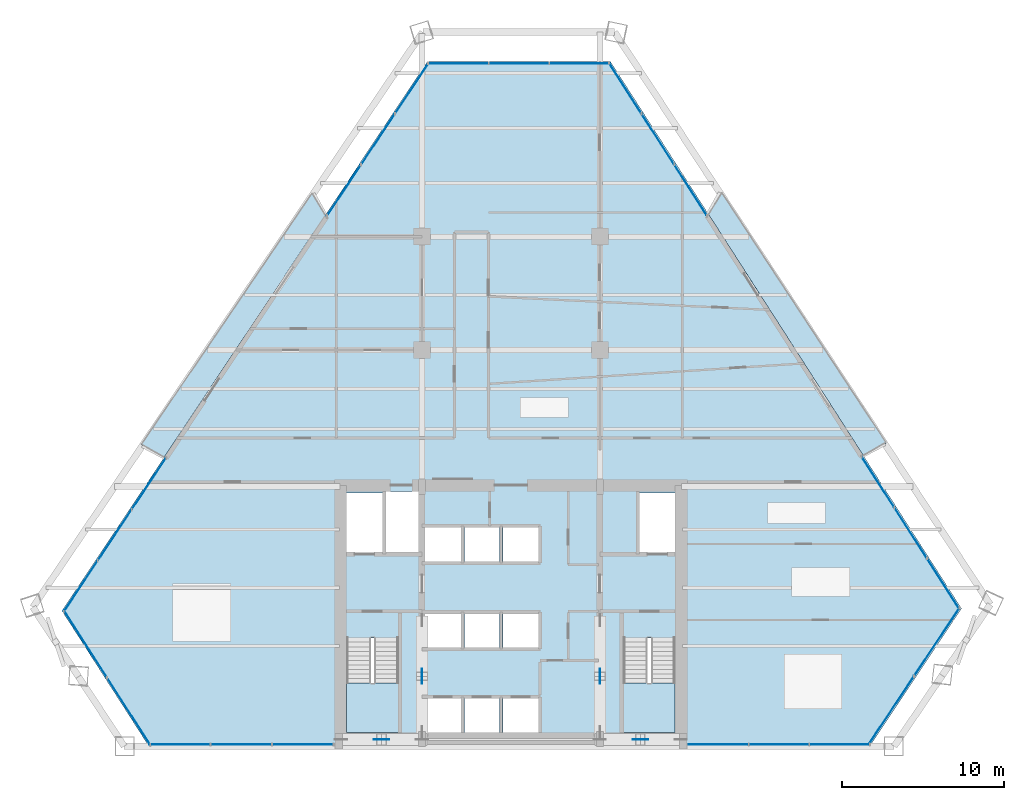
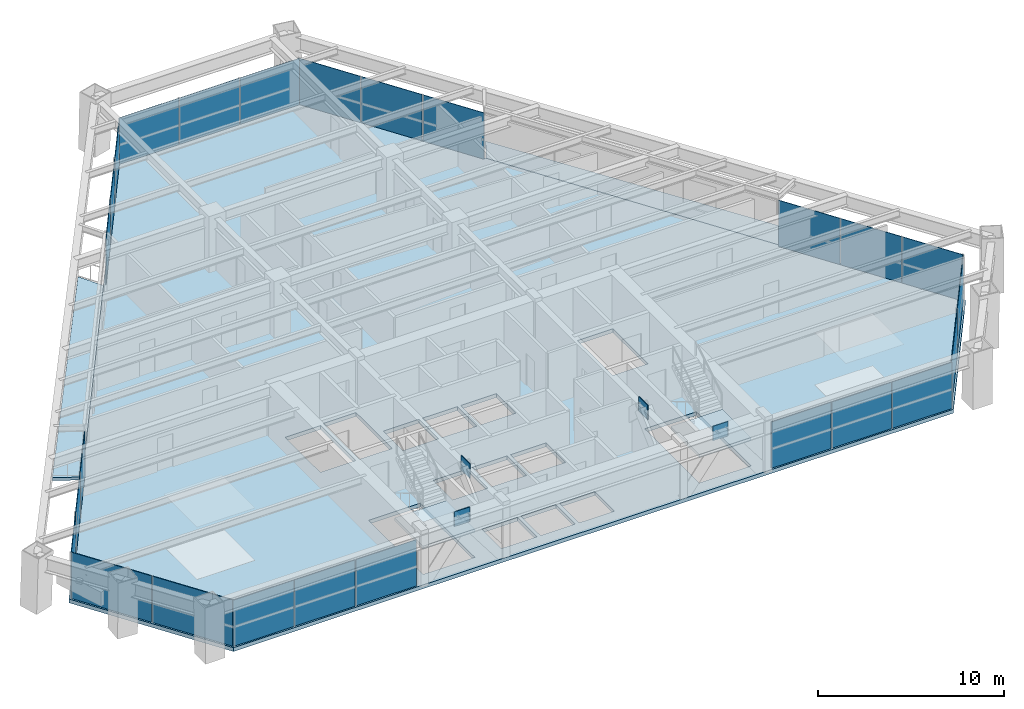
# One storey, part 9 of 14: 29 plates, 5 slabs, 11 elements without a shape of their own.
"""IFC4 building model written with IfcOpenShell, lengths in metres."""

from ifc_helpers import new_model, si_unit, direction, frame, origin, origin_2d, place, context, subcontext, project, spatial, polyline, rectangle, outline, extrude, source, transform, mapped, material, layer, layer_set, type_object, element, aggregate, save


model = new_model("IFC4")

# Units and contexts
model_context = context("Model", 3, precision=1e-05, world=origin(), true_north=direction((0.0, 1.0)))
body_context = subcontext(model_context, "Body", "Model", "MODEL_VIEW")
ifc_project = project(units=[si_unit("LENGTHUNIT", "METRE"), si_unit("AREAUNIT", "SQUARE_METRE"), si_unit("VOLUMEUNIT", "CUBIC_METRE"), si_unit("PLANEANGLEUNIT", "RADIAN"), si_unit("MASSUNIT", "GRAM", prefix="KILO")], contexts=[model_context])

# Site, building, storey
site_placement = place(None, origin())
site = spatial("IfcSite", under=ifc_project, at=site_placement, CompositionType="ELEMENT")
building_placement = place(site_placement, origin())
building = spatial("IfcBuilding", under=site, at=building_placement, Name="Varnakhor Terracotta Tower", CompositionType="ELEMENT")
storey_placement = place(building_placement, frame((0.0, 0.0, 113.60009765625)))
storey = spatial("IfcBuildingStorey", under=building, at=storey_placement, Name="L28", CompositionType="ELEMENT", Elevation=113.60009765625)

# Stair, slab
ifc_material_1 = material(Name="Concrete C40/50", Category="concrete")
stair_type = type_object("IfcStairType", Name="STR-CORE-OFFICE-1500", PredefinedType="HALF_TURN_STAIR", material=ifc_material_1)
stair_1_placement = place(storey_placement, origin())
stair_1 = element("IfcStair", 1, at=stair_1_placement, inside=storey, type_object=stair_type, Name="L28 Core Exit Stair ST-1", PredefinedType="HALF_TURN_STAIR")
ifc_layer_1 = layer(ifc_material_1, 0.179931640625, Name="Concrete C40/50")
ifc_layer_set_1 = layer_set([ifc_layer_1], Name="Concrete C40/50")
slab_type_1 = type_object("IfcSlabType", Name="SLB-LANDING-180", PredefinedType="LANDING", material=ifc_layer_set_1)
slab_1_placement = place(storey_placement, frame((0.0, 0.0, 1.64990234375)))
slab_1 = element("IfcSlab", 2, at=slab_1_placement, type_object=slab_type_1, Name="ST-1 landing 1", PredefinedType="LANDING", context=body_context, shape_type="SweptSolid", body=[
    extrude(outline(polyline([(-10.14990234375, 3.909912109375), (-10.14990234375, 0.85009765625), (-6.949951171875, 0.85009765625), (-6.949951171875, 3.909912109375), (-10.14990234375, 3.909912109375)])), origin(), (0.0, 0.0, 1.0), 0.199951171875),
])
aggregate(stair_1, [slab_1])

stair_2_placement = place(storey_placement, origin())
stair_2 = element("IfcStair", 3, at=stair_2_placement, inside=storey, type_object=stair_type, Name="L28 Core Exit Stair ST-2", PredefinedType="HALF_TURN_STAIR")
slab_2_placement = place(storey_placement, frame((0.0, 0.0, 1.64990234375)))
slab_2 = element("IfcSlab", 4, at=slab_2_placement, type_object=slab_type_1, Name="ST-2 landing 1", PredefinedType="LANDING", context=body_context, shape_type="SweptSolid", body=[
    extrude(outline(polyline([(6.949951171875, 3.909912109375), (6.949951171875, 0.85009765625), (10.14990234375, 0.85009765625), (10.14990234375, 3.909912109375), (6.949951171875, 3.909912109375)])), origin(), (0.0, 0.0, 1.0), 0.199951171875),
])
aggregate(stair_2, [slab_2])

# Slabs
ifc_layer_2 = layer(ifc_material_1, 0.195068359375, Name="Concrete C40/50")
ifc_layer_set_2 = layer_set([ifc_layer_2], Name="Concrete C40/50")
slab_type_2 = type_object("IfcSlabType", Name="SLB-LOGGIA-EXT-195", PredefinedType="FLOOR", material=ifc_layer_set_2)
slab_3_placement = place(storey_placement, frame((0.0, 0.0, -0.195068359375)))
element("IfcSlab", 5, at=slab_3_placement, inside=storey, type_object=slab_type_2, Name="L28 E Recessed Outdoor Loggia Slab", PredefinedType="FLOOR", context=body_context, shape_type="SweptSolid", body=[
    extrude(outline(polyline([(13.005859375, 34.250732421875), (23.197265625, 18.743896484375), (21.773193359375, 17.985595703125), (12.81884765625, 31.937744140625), (12.22412109375, 32.86474609375), (13.005859375, 34.250732421875)])), origin(), (0.0, 0.0, 1.0), 0.195068359375),
])
slab_4_placement = place(storey_placement, frame((0.0, 0.0, -0.195068359375)))
element("IfcSlab", 6, at=slab_4_placement, inside=storey, type_object=slab_type_2, Name="L28 W Recessed Outdoor Loggia Slab", PredefinedType="FLOOR", context=body_context, shape_type="SweptSolid", body=[
    extrude(outline(polyline([(-22.853515625, 18.630615234375), (-12.26708984375, 34.20654296875), (-11.483642578125, 32.822509765625), (-16.454345703125, 25.349609375), (-21.425048828125, 17.876708984375), (-22.853515625, 18.630615234375)])), origin(), (0.0, 0.0, 1.0), 0.195068359375),
])
ifc_layer_3 = layer(ifc_material_1, 0.25, Name="Concrete C40/50")
ifc_layer_set_3 = layer_set([ifc_layer_3], Name="Concrete C40/50")
slab_type_3 = type_object("IfcSlabType", Name="SLB-OFF-250", PredefinedType="FLOOR", material=ifc_layer_set_3)
slab_5_placement = place(storey_placement, frame((0.0, 0.0, -0.25)))
element("IfcSlab", 7, at=slab_5_placement, inside=storey, type_object=slab_type_3, Name="L28 Structural Floor Slab", PredefinedType="FLOOR", context=body_context, shape_type="SweptSolid", body=[
    extrude(outline(polyline([(-27.75146484375, 8.365966796875), (-5.1572265625, 42.333251953125), (6.147216796875, 42.333251953125), (27.85009765625, 8.51708984375), (22.184814453125, 0.0), (-22.382080078125, 0.0), (-27.75146484375, 8.365966796875)]), holes=[polyline([(-3.10009765625, 0.85009765625), (-3.10009765625, 2.949951171875), (-5.300048828125, 2.949951171875), (-5.300048828125, 0.85009765625), (-3.10009765625, 0.85009765625)]), polyline([(-2.8798828125, 0.85009765625), (-0.719970703125, 0.85009765625), (-0.719970703125, 2.949951171875), (-2.8798828125, 2.949951171875), (-2.8798828125, 0.85009765625)]), polyline([(-10.14990234375, 0.85009765625), (-6.949951171875, 0.85009765625), (-6.949951171875, 6.695068359375), (-10.14990234375, 6.695068359375), (-10.14990234375, 0.85009765625)]), polyline([(-5.300048828125, 6.10009765625), (-3.10009765625, 6.10009765625), (-3.10009765625, 8.199951171875), (-5.300048828125, 8.199951171875), (-5.300048828125, 6.10009765625)]), polyline([(-5.300048828125, 11.419921875), (-3.10009765625, 11.419921875), (-3.10009765625, 13.52001953125), (-5.300048828125, 13.52001953125), (-5.300048828125, 11.419921875)]), polyline([(-10.14990234375, 11.8798828125), (-7.949951171875, 11.8798828125), (-7.949951171875, 15.64990234375), (-10.14990234375, 15.64990234375), (-10.14990234375, 11.8798828125)]), polyline([(-7.72998046875, 11.8798828125), (-5.699951171875, 11.8798828125), (-5.699951171875, 15.75), (-7.72998046875, 15.75), (-7.72998046875, 11.8798828125)]), polyline([(1.699951171875, 0.85009765625), (1.699951171875, 2.949951171875), (-0.5, 2.949951171875), (-0.5, 0.85009765625), (1.699951171875, 0.85009765625)]), polyline([(6.949951171875, 0.85009765625), (10.14990234375, 0.85009765625), (10.14990234375, 6.695068359375), (6.949951171875, 6.695068359375), (6.949951171875, 0.85009765625)]), polyline([(-2.8798828125, 6.10009765625), (-0.719970703125, 6.10009765625), (-0.719970703125, 8.199951171875), (-2.8798828125, 8.199951171875), (-2.8798828125, 6.10009765625)]), polyline([(-0.5, 6.10009765625), (1.699951171875, 6.10009765625), (1.699951171875, 8.199951171875), (-0.5, 8.199951171875), (-0.5, 6.10009765625)]), polyline([(-2.8798828125, 11.419921875), (-0.719970703125, 11.419921875), (-0.719970703125, 13.52001953125), (-2.8798828125, 13.52001953125), (-2.8798828125, 11.419921875)]), polyline([(-0.5, 11.419921875), (1.699951171875, 11.419921875), (1.699951171875, 13.52001953125), (-0.5, 13.52001953125), (-0.5, 11.419921875)]), polyline([(7.949951171875, 11.8798828125), (10.14990234375, 11.8798828125), (10.14990234375, 15.64990234375), (7.949951171875, 15.64990234375), (7.949951171875, 11.8798828125)])]), origin(), (0.0, 0.0, 1.0), 0.25),
])

# Plates
ifc_material_2 = material(Name="Steel S460", Category="steel")
ifc_layer_4 = layer(ifc_material_2, 0.050048828125, Name="Steel S460")
ifc_layer_set_4 = layer_set([ifc_layer_4], Name="Steel S460")
plate_type_1 = type_object("IfcPlateType", Name="PLT-GUSSET-50", PredefinedType="USERDEFINED", material=ifc_layer_set_4)
shared_shape_1 = source(origin(), body_context, "Body", "SweptSolid", [
    extrude(rectangle(XDim=0.949951171875, YDim=0.044921875, at=origin_2d()), origin(), (0.0, 0.0, 1.0), 0.949951171875),
])
for number, where, z_axis, x_axis, name in (
    (8, (-8.0, 0.419921875, 2.82470703125), (0.0, 0.0, 1.0), (1.0, 0.0, 0.0), "L28 Core Brace Apex Gusset CSW"),
    (9, (8.0, 0.419921875, 2.82470703125), (0.0, 0.0, 1.0), (1.0, 0.0, 0.0), "L28 Core Brace Apex Gusset CSE"),
    (10, (-5.5, 4.324951171875, 2.82470703125), (0.0, 0.0, 1.0), (0.0, 1.0, 0.0), "L28 Core Brace Apex Gusset CWW"),
    (11, (5.5, 4.324951171875, 2.82470703125), (0.0, 0.0, 1.0), (0.0, 1.0, 0.0), "L28 Core Brace Apex Gusset CWE"),
):
    element("IfcPlate", number, at=place(storey_placement, frame(where, z_axis=z_axis, x_axis=x_axis)), inside=storey, type_object=plate_type_1, Name=name, ObjectType="GUSSET PLATE", PredefinedType="USERDEFINED", context=body_context, shape_type="MappedRepresentation", body=[
        mapped(shared_shape_1, transform((0.0, 0.0, 0.0), scale=1.0)),
    ])

# Curtain wall, plates
ifc_material_3 = material(Name="Anodised Aluminium Curtain Wall System", Category="aluminium")
curtain_wall_type = type_object("IfcCurtainWallType", Name="CW-SYS-LOW-OFFICE", PredefinedType="NOTDEFINED", material=ifc_material_3)
curtain_wall_1_placement = place(storey_placement, origin())
curtain_wall_1 = element("IfcCurtainWall", 12, at=curtain_wall_1_placement, inside=storey, type_object=curtain_wall_type, Name="L28 E Facet Curtain Wall 1", PredefinedType="NOTDEFINED")
ifc_material_4 = material(Name="Solar-Control Low-E Insulated Glass Panel", Category="glass")
ifc_layer_5 = layer(ifc_material_4, 0.0380859375, Name="Solar-Control Low-E Insulated Glass Panel")
ifc_layer_set_5 = layer_set([ifc_layer_5], Name="Solar-Control Low-E Insulated Glass Panel")
plate_type_2 = type_object("IfcPlateType", Name="CWP-02", PredefinedType="CURTAIN_PANEL", material=ifc_layer_set_5)
shared_shape_2 = source(origin(), body_context, "Body", "SweptSolid", [
    extrude(rectangle(XDim=3.690185546875, YDim=0.035888671875, at=origin_2d()), origin(), (0.0, 0.0, 1.0), 3.030029296875),
])
plate_1_placement = place(storey_placement, frame((7.06982421875, 40.673583984375, 0.0), z_axis=(0.0, 0.0, 1.0), x_axis=(0.540122818141, -0.841586205521, 0.0)))
plate_1 = element("IfcPlate", 13, at=plate_1_placement, type_object=plate_type_2, Name="L28 E Facet Curtain Wall 1 Glazed Panel 1", PredefinedType="CURTAIN_PANEL", context=body_context, shape_type="MappedRepresentation", body=[
    mapped(shared_shape_2, transform((0.0, 0.0, 0.0), scale=1.0)),
])
plate_2_placement = place(storey_placement, frame((9.084716796875, 37.5341796875, 0.0), z_axis=(0.0, 0.0, 1.0), x_axis=(0.540122818141, -0.841586205521, 0.0)))
plate_2 = element("IfcPlate", 14, at=plate_2_placement, type_object=plate_type_2, Name="L28 E Facet Curtain Wall 1 Glazed Panel 2", PredefinedType="CURTAIN_PANEL", context=body_context, shape_type="MappedRepresentation", body=[
    mapped(shared_shape_2, transform((0.0, 0.0, 0.0), scale=1.0)),
])
plate_3_placement = place(storey_placement, frame((11.099365234375, 34.39501953125, 0.0), z_axis=(0.0, 0.0, 1.0), x_axis=(0.540122818141, -0.841586205521, 0.0)))
plate_3 = element("IfcPlate", 15, at=plate_3_placement, type_object=plate_type_2, Name="L28 E Facet Curtain Wall 1 Glazed Panel 3", PredefinedType="CURTAIN_PANEL", context=body_context, shape_type="MappedRepresentation", body=[
    mapped(shared_shape_2, transform((0.0, 0.0, 0.0), scale=1.0)),
])
aggregate(curtain_wall_1, [plate_1, plate_2, plate_3])

curtain_wall_2_placement = place(storey_placement, origin())
curtain_wall_2 = element("IfcCurtainWall", 16, at=curtain_wall_2_placement, inside=storey, type_object=curtain_wall_type, Name="L28 E Facet Curtain Wall 2", PredefinedType="NOTDEFINED")
plate_4_placement = place(storey_placement, frame((22.69580078125, 16.32568359375, 0.0), z_axis=(0.0, 0.0, 1.0), x_axis=(0.540122818141, -0.841586205521, 0.0)))
plate_4 = element("IfcPlate", 17, at=plate_4_placement, type_object=plate_type_2, Name="L28 E Facet Curtain Wall 2 Glazed Panel 1", PredefinedType="CURTAIN_PANEL", context=body_context, shape_type="MappedRepresentation", body=[
    mapped(shared_shape_2, transform((0.0, 0.0, 0.0), scale=1.0)),
])
plate_5_placement = place(storey_placement, frame((24.710693359375, 13.1865234375, 0.0), z_axis=(0.0, 0.0, 1.0), x_axis=(0.540122818141, -0.841586205521, 0.0)))
plate_5 = element("IfcPlate", 18, at=plate_5_placement, type_object=plate_type_2, Name="L28 E Facet Curtain Wall 2 Glazed Panel 2", PredefinedType="CURTAIN_PANEL", context=body_context, shape_type="MappedRepresentation", body=[
    mapped(shared_shape_2, transform((0.0, 0.0, 0.0), scale=1.0)),
])
plate_6_placement = place(storey_placement, frame((26.7255859375, 10.047119140625, 0.0), z_axis=(0.0, 0.0, 1.0), x_axis=(0.540122818141, -0.841586205521, 0.0)))
plate_6 = element("IfcPlate", 19, at=plate_6_placement, type_object=plate_type_2, Name="L28 E Facet Curtain Wall 2 Glazed Panel 3", PredefinedType="CURTAIN_PANEL", context=body_context, shape_type="MappedRepresentation", body=[
    mapped(shared_shape_2, transform((0.0, 0.0, 0.0), scale=1.0)),
])
aggregate(curtain_wall_2, [plate_4, plate_5, plate_6])

curtain_wall_3_placement = place(storey_placement, origin())
curtain_wall_3 = element("IfcCurtainWall", 20, at=curtain_wall_3_placement, inside=storey, type_object=curtain_wall_type, Name="L28 South Wing Curtain Wall SSE", PredefinedType="NOTDEFINED")
shared_shape_3 = source(origin(), body_context, "Body", "SweptSolid", [
    extrude(rectangle(XDim=3.695068359375, YDim=0.035888671875, at=origin_2d()), origin(), (0.0, 0.0, 1.0), 3.030029296875),
])
plate_7_placement = place(storey_placement, frame((20.307373046875, 0.1201171875, 0.0), z_axis=(0.0, 0.0, 1.0), x_axis=(-1.0, 0.0, 0.0)))
plate_7 = element("IfcPlate", 21, at=plate_7_placement, type_object=plate_type_2, Name="L28 South Wing Curtain Wall SSE Glazed Panel 1", PredefinedType="CURTAIN_PANEL", context=body_context, shape_type="MappedRepresentation", body=[
    mapped(shared_shape_3, transform((0.0, 0.0, 0.0), scale=1.0)),
])
plate_8_placement = place(storey_placement, frame((12.83740234375, 0.1201171875, 0.0), z_axis=(0.0, 0.0, 1.0), x_axis=(-1.0, 0.0, 0.0)))
plate_8 = element("IfcPlate", 22, at=plate_8_placement, type_object=plate_type_2, Name="L28 South Wing Curtain Wall SSE Glazed Panel 3", PredefinedType="CURTAIN_PANEL", context=body_context, shape_type="MappedRepresentation", body=[
    mapped(shared_shape_3, transform((0.0, 0.0, 0.0), scale=1.0)),
])

curtain_wall_4_placement = place(storey_placement, origin())
curtain_wall_4 = element("IfcCurtainWall", 23, at=curtain_wall_4_placement, inside=storey, type_object=curtain_wall_type, Name="L28 W Facet Curtain Wall 1", PredefinedType="NOTDEFINED")
shared_shape_4 = source(origin(), body_context, "Body", "SweptSolid", [
    extrude(rectangle(XDim=3.74755859375, YDim=0.035888671875, at=origin_2d()), origin(), (0.0, 0.0, 1.0), 3.030029296875),
])
plate_9_placement = place(storey_placement, frame((-26.586181640625, 9.9013671875, 0.0), z_axis=(0.0, 0.0, 1.0), x_axis=(0.553842121982, 0.832621705169, 0.0)))
plate_9 = element("IfcPlate", 24, at=plate_9_placement, type_object=plate_type_2, Name="L28 W Facet Curtain Wall 1 Glazed Panel 1", PredefinedType="CURTAIN_PANEL", context=body_context, shape_type="MappedRepresentation", body=[
    mapped(shared_shape_4, transform((0.0, 0.0, 0.0), scale=1.0)),
])
plate_10_placement = place(storey_placement, frame((-22.390380859375, 16.20849609375, 0.0), z_axis=(0.0, 0.0, 1.0), x_axis=(0.553842121982, 0.832621705169, 0.0)))
plate_10 = element("IfcPlate", 25, at=plate_10_placement, type_object=plate_type_2, Name="L28 W Facet Curtain Wall 1 Glazed Panel 3", PredefinedType="CURTAIN_PANEL", context=body_context, shape_type="MappedRepresentation", body=[
    mapped(shared_shape_4, transform((0.0, 0.0, 0.0), scale=1.0)),
])

curtain_wall_5_placement = place(storey_placement, origin())
curtain_wall_5 = element("IfcCurtainWall", 26, at=curtain_wall_5_placement, inside=storey, type_object=curtain_wall_type, Name="L28 W Facet Curtain Wall 2", PredefinedType="NOTDEFINED")
plate_11_placement = place(storey_placement, frame((-10.318115234375, 34.35791015625, 0.0), z_axis=(0.0, 0.0, 1.0), x_axis=(0.553842121982, 0.832621705169, 0.0)))
plate_11 = element("IfcPlate", 27, at=plate_11_placement, type_object=plate_type_2, Name="L28 W Facet Curtain Wall 2 Glazed Panel 1", PredefinedType="CURTAIN_PANEL", context=body_context, shape_type="MappedRepresentation", body=[
    mapped(shared_shape_4, transform((0.0, 0.0, 0.0), scale=1.0)),
])
plate_12_placement = place(storey_placement, frame((-8.220458984375, 37.511474609375, 0.0), z_axis=(0.0, 0.0, 1.0), x_axis=(0.553842121982, 0.832621705169, 0.0)))
plate_12 = element("IfcPlate", 28, at=plate_12_placement, type_object=plate_type_2, Name="L28 W Facet Curtain Wall 2 Glazed Panel 2", PredefinedType="CURTAIN_PANEL", context=body_context, shape_type="MappedRepresentation", body=[
    mapped(shared_shape_4, transform((0.0, 0.0, 0.0), scale=1.0)),
])
plate_13_placement = place(storey_placement, frame((-6.122802734375, 40.6650390625, 0.0), z_axis=(0.0, 0.0, 1.0), x_axis=(0.553842121982, 0.832621705169, 0.0)))
plate_13 = element("IfcPlate", 29, at=plate_13_placement, type_object=plate_type_2, Name="L28 W Facet Curtain Wall 2 Glazed Panel 3", PredefinedType="CURTAIN_PANEL", context=body_context, shape_type="MappedRepresentation", body=[
    mapped(shared_shape_4, transform((0.0, 0.0, 0.0), scale=1.0)),
])
aggregate(curtain_wall_5, [plate_11, plate_12, plate_13])

# Plate
shared_shape_5 = source(origin(), body_context, "Body", "SweptSolid", [
    extrude(rectangle(XDim=3.747802734375, YDim=0.035888671875, at=origin_2d()), origin(), (0.0, 0.0, 1.0), 3.030029296875),
])
plate_14_placement = place(storey_placement, frame((-24.48828125, 13.054931640625, 0.0), z_axis=(0.0, 0.0, 1.0), x_axis=(0.553842121982, 0.832621705169, 0.0)))
plate_14 = element("IfcPlate", 30, at=plate_14_placement, type_object=plate_type_2, Name="L28 W Facet Curtain Wall 1 Glazed Panel 2", PredefinedType="CURTAIN_PANEL", context=body_context, shape_type="MappedRepresentation", body=[
    mapped(shared_shape_5, transform((0.0, 0.0, 0.0), scale=1.0)),
])

aggregate(curtain_wall_4, [plate_9, plate_14, plate_10])

# Curtain wall, plates
curtain_wall_6_placement = place(storey_placement, origin())
curtain_wall_6 = element("IfcCurtainWall", 31, at=curtain_wall_6_placement, inside=storey, type_object=curtain_wall_type, Name="L28 Facet Curtain Wall 2", PredefinedType="NOTDEFINED")
shared_shape_6 = source(origin(), body_context, "Body", "SweptSolid", [
    extrude(rectangle(XDim=3.7080078125, YDim=0.035888671875, at=origin_2d()), origin(), (0.0, 0.0, 1.0), 3.030029296875),
])
plate_15_placement = place(storey_placement, frame((-3.253173828125, 42.21337890625, 0.0), z_axis=(0.0, 0.0, 1.0), x_axis=(1.0, 0.0, 0.0)))
plate_15 = element("IfcPlate", 32, at=plate_15_placement, type_object=plate_type_2, Name="L28 Facet Curtain Wall 2 Glazed Panel 1", PredefinedType="CURTAIN_PANEL", context=body_context, shape_type="MappedRepresentation", body=[
    mapped(shared_shape_6, transform((0.0, 0.0, 0.0), scale=1.0)),
])
plate_16_placement = place(storey_placement, frame((4.2431640625, 42.21337890625, 0.0), z_axis=(0.0, 0.0, 1.0), x_axis=(1.0, 0.0, 0.0)))
plate_16 = element("IfcPlate", 33, at=plate_16_placement, type_object=plate_type_2, Name="L28 Facet Curtain Wall 2 Glazed Panel 3", PredefinedType="CURTAIN_PANEL", context=body_context, shape_type="MappedRepresentation", body=[
    mapped(shared_shape_6, transform((0.0, 0.0, 0.0), scale=1.0)),
])
shared_shape_7 = source(origin(), body_context, "Body", "SweptSolid", [
    extrude(rectangle(XDim=3.708251953125, YDim=0.035888671875, at=origin_2d()), origin(), (0.0, 0.0, 1.0), 3.030029296875),
])
plate_17_placement = place(storey_placement, frame((0.4951171875, 42.21337890625, 0.0), z_axis=(0.0, 0.0, 1.0), x_axis=(1.0, 0.0, 0.0)))
plate_17 = element("IfcPlate", 34, at=plate_17_placement, type_object=plate_type_2, Name="L28 Facet Curtain Wall 2 Glazed Panel 2", PredefinedType="CURTAIN_PANEL", context=body_context, shape_type="MappedRepresentation", body=[
    mapped(shared_shape_7, transform((0.0, 0.0, 0.0), scale=1.0)),
])
aggregate(curtain_wall_6, [plate_15, plate_17, plate_16])

curtain_wall_7_placement = place(storey_placement, origin())
curtain_wall_7 = element("IfcCurtainWall", 35, at=curtain_wall_7_placement, inside=storey, type_object=curtain_wall_type, Name="L28 Facet Curtain Wall 4", PredefinedType="NOTDEFINED")
shared_shape_8 = source(origin(), body_context, "Body", "SweptSolid", [
    extrude(rectangle(XDim=5.04443359375, YDim=0.035888671875, at=origin_2d()), origin(), (0.0, 0.0, 1.0), 3.030029296875),
])
plate_18_placement = place(storey_placement, frame((26.32568359375, 6.44189453125, 0.0), z_axis=(0.0, 0.0, 1.0), x_axis=(-0.553827589908, -0.832631371411, 0.0)))
plate_18 = element("IfcPlate", 36, at=plate_18_placement, type_object=plate_type_2, Name="L28 Facet Curtain Wall 4 Glazed Panel 1", PredefinedType="CURTAIN_PANEL", context=body_context, shape_type="MappedRepresentation", body=[
    mapped(shared_shape_8, transform((0.0, 0.0, 0.0), scale=1.0)),
])
shared_shape_9 = source(origin(), body_context, "Body", "SweptSolid", [
    extrude(rectangle(XDim=5.044677734375, YDim=0.035888671875, at=origin_2d()), origin(), (0.0, 0.0, 1.0), 3.030029296875),
])
plate_19_placement = place(storey_placement, frame((23.509521484375, 2.208251953125, 0.0), z_axis=(0.0, 0.0, 1.0), x_axis=(-0.553827589908, -0.832631371411, 0.0)))
plate_19 = element("IfcPlate", 37, at=plate_19_placement, type_object=plate_type_2, Name="L28 Facet Curtain Wall 4 Glazed Panel 2", PredefinedType="CURTAIN_PANEL", context=body_context, shape_type="MappedRepresentation", body=[
    mapped(shared_shape_9, transform((0.0, 0.0, 0.0), scale=1.0)),
])
aggregate(curtain_wall_7, [plate_18, plate_19])

# Plate
shared_shape_10 = source(origin(), body_context, "Body", "SweptSolid", [
    extrude(rectangle(XDim=3.69482421875, YDim=0.035888671875, at=origin_2d()), origin(), (0.0, 0.0, 1.0), 3.030029296875),
])
plate_20_placement = place(storey_placement, frame((16.572509765625, 0.1201171875, 0.0), z_axis=(0.0, 0.0, 1.0), x_axis=(-1.0, 0.0, 0.0)))
plate_20 = element("IfcPlate", 38, at=plate_20_placement, type_object=plate_type_2, Name="L28 South Wing Curtain Wall SSE Glazed Panel 2", PredefinedType="CURTAIN_PANEL", context=body_context, shape_type="MappedRepresentation", body=[
    mapped(shared_shape_10, transform((0.0, 0.0, 0.0), scale=1.0)),
])

aggregate(curtain_wall_3, [plate_7, plate_20, plate_8])

# Curtain wall, plates
curtain_wall_8_placement = place(storey_placement, origin())
curtain_wall_8 = element("IfcCurtainWall", 39, at=curtain_wall_8_placement, inside=storey, type_object=curtain_wall_type, Name="L28 South Wing Curtain Wall SSW", PredefinedType="NOTDEFINED")
shared_shape_11 = source(origin(), body_context, "Body", "SweptSolid", [
    extrude(rectangle(XDim=3.7607421875, YDim=0.035888671875, at=origin_2d()), origin(), (0.0, 0.0, 1.0), 3.030029296875),
])
plate_21_placement = place(storey_placement, frame((-12.870361328125, 0.1201171875, 0.0), z_axis=(0.0, 0.0, 1.0), x_axis=(-1.0, 0.0, 0.0)))
plate_21 = element("IfcPlate", 40, at=plate_21_placement, type_object=plate_type_2, Name="L28 South Wing Curtain Wall SSW Glazed Panel 1", PredefinedType="CURTAIN_PANEL", context=body_context, shape_type="MappedRepresentation", body=[
    mapped(shared_shape_11, transform((0.0, 0.0, 0.0), scale=1.0)),
])
plate_22_placement = place(storey_placement, frame((-16.671142578125, 0.1201171875, 0.0), z_axis=(0.0, 0.0, 1.0), x_axis=(-1.0, 0.0, 0.0)))
plate_22 = element("IfcPlate", 41, at=plate_22_placement, type_object=plate_type_2, Name="L28 South Wing Curtain Wall SSW Glazed Panel 2", PredefinedType="CURTAIN_PANEL", context=body_context, shape_type="MappedRepresentation", body=[
    mapped(shared_shape_11, transform((0.0, 0.0, 0.0), scale=1.0)),
])
plate_23_placement = place(storey_placement, frame((-20.4716796875, 0.1201171875, 0.0), z_axis=(0.0, 0.0, 1.0), x_axis=(-1.0, 0.0, 0.0)))
plate_23 = element("IfcPlate", 42, at=plate_23_placement, type_object=plate_type_2, Name="L28 South Wing Curtain Wall SSW Glazed Panel 3", PredefinedType="CURTAIN_PANEL", context=body_context, shape_type="MappedRepresentation", body=[
    mapped(shared_shape_11, transform((0.0, 0.0, 0.0), scale=1.0)),
])
aggregate(curtain_wall_8, [plate_21, plate_22, plate_23])

curtain_wall_9_placement = place(storey_placement, origin())
curtain_wall_9 = element("IfcCurtainWall", 43, at=curtain_wall_9_placement, inside=storey, type_object=curtain_wall_type, Name="L28 Facet Curtain Wall 6", PredefinedType="NOTDEFINED")
shared_shape_12 = source(origin(), body_context, "Body", "SweptSolid", [
    extrude(rectangle(XDim=4.900390625, YDim=0.035888671875, at=origin_2d()), origin(), (0.0, 0.0, 1.0), 3.030029296875),
])
plate_24_placement = place(storey_placement, frame((-23.631591796875, 2.1689453125, 0.0), z_axis=(0.0, 0.0, 1.0), x_axis=(-0.540122818141, 0.841586205521, 0.0)))
plate_24 = element("IfcPlate", 44, at=plate_24_placement, type_object=plate_type_2, Name="L28 Facet Curtain Wall 6 Glazed Panel 1", PredefinedType="CURTAIN_PANEL", context=body_context, shape_type="MappedRepresentation", body=[
    mapped(shared_shape_12, transform((0.0, 0.0, 0.0), scale=1.0)),
])
plate_25_placement = place(storey_placement, frame((-26.300048828125, 6.32666015625, 0.0), z_axis=(0.0, 0.0, 1.0), x_axis=(-0.540122818141, 0.841586205521, 0.0)))
plate_25 = element("IfcPlate", 45, at=plate_25_placement, type_object=plate_type_2, Name="L28 Facet Curtain Wall 6 Glazed Panel 2", PredefinedType="CURTAIN_PANEL", context=body_context, shape_type="MappedRepresentation", body=[
    mapped(shared_shape_12, transform((0.0, 0.0, 0.0), scale=1.0)),
])
aggregate(curtain_wall_9, [plate_24, plate_25])

save(model, "model.ifc")
